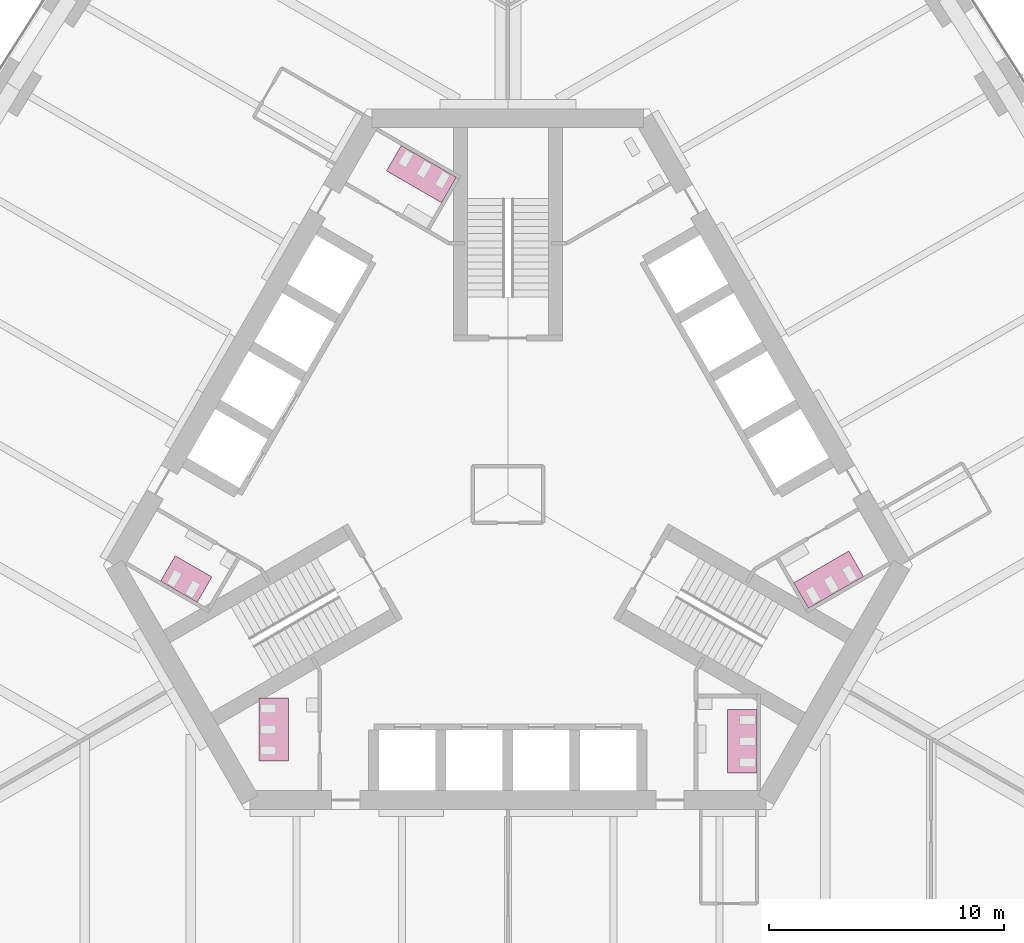
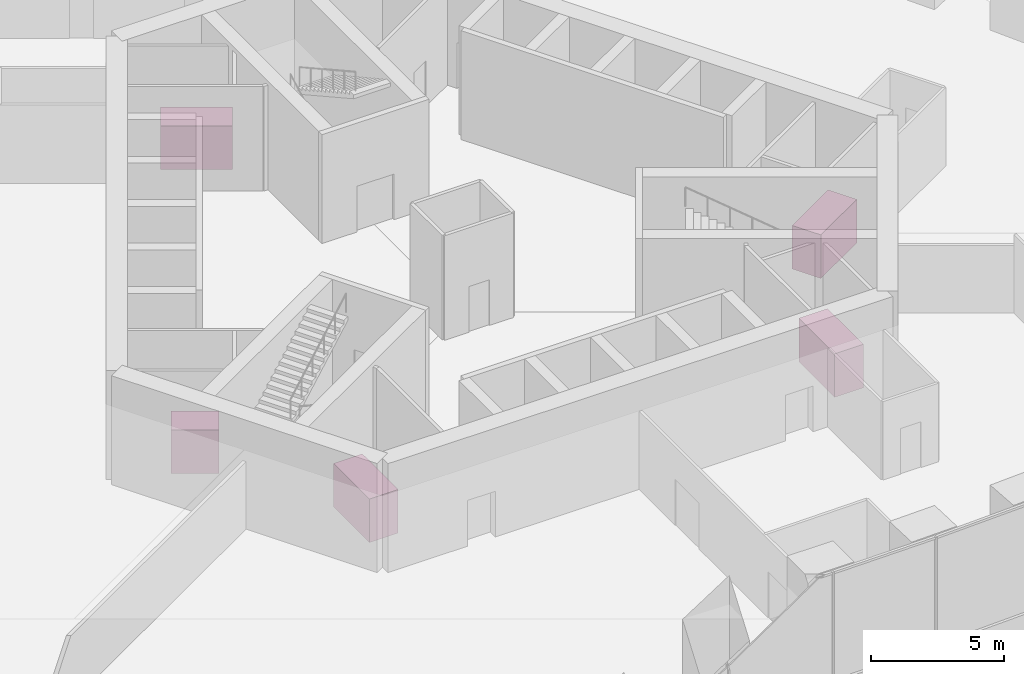
# One storey, part 21 of 21: 5 furniture elements.
"""IFC4 building model written with IfcOpenShell, lengths in metres."""

import ifcopenshell
import ifcopenshell.guid

model = None  # the IFC model being written
_history = None  # IfcOwnerHistory: only IFC2X3 demands one
_inside = {}  # id of a spatial element -> (the spatial element, [elements in it])
_under = {}  # id of a project, library or spatial element -> (it, [spatial elements below it])
_declared = {}  # id of a project -> (the project, [libraries it declares])
_typed = {}  # id of a type object -> (the type object, [elements of that type])
_made_of = {}  # id of a material, layer set ... -> (it, [elements and type objects made of it])


def new_model(schema):
    """Start an empty IFC model of exactly this schema.

    Asked for "IFC4X3", IfcOpenShell would pick the latest addendum, in which some entities
    have other attributes; the version numbers below select the first issue.
    IFC2X3 requires an IfcOwnerHistory on every rooted entity: one is made here for all.
    """
    global model, _history
    if schema == "IFC4X3":
        model = ifcopenshell.file(schema_version=(4, 3, 0, 0))
    else:
        model = ifcopenshell.file(schema=schema)
    _inside.clear()
    _under.clear()
    _declared.clear()
    _typed.clear()
    _made_of.clear()
    _history = None
    if model.schema == "IFC2X3":
        org = make("IfcOrganization", Name="unknown")
        user = make(
            "IfcPersonAndOrganization",
            ThePerson=make("IfcPerson", FamilyName="unknown"),
            TheOrganization=org,
        )
        app = make(
            "IfcApplication",
            ApplicationDeveloper=org,
            Version="unknown",
            ApplicationFullName="unknown",
            ApplicationIdentifier="unknown",
        )
        _history = make(
            "IfcOwnerHistory",
            OwningUser=user,
            OwningApplication=app,
            ChangeAction="ADDED",
            CreationDate=0,
        )
    return model


def make(cls, **values):
    """One entity of the class cls with the attributes given. An attribute that is None is left unset."""
    return model.create_entity(
        cls, **{name: value for name, value in values.items() if value is not None}
    )


def rooted(cls, **values):
    """An entity with a GlobalId (a new one), such as an element, a storey or a relation."""
    return make(cls, GlobalId=ifcopenshell.guid.new(), OwnerHistory=_history, **values)


def si_unit(unit_type, name, prefix=None):
    """IfcSIUnit, for example si_unit("LENGTHUNIT", "METRE", prefix="MILLI")."""
    return make("IfcSIUnit", UnitType=unit_type, Prefix=prefix, Name=name)


def assignment(units):
    """IfcUnitAssignment: the units of a project."""
    return None if units is None else make("IfcUnitAssignment", Units=units)


def point(xyz):
    """IfcCartesianPoint."""
    return None if xyz is None else make("IfcCartesianPoint", Coordinates=xyz)


def direction(xyz):
    """IfcDirection."""
    return None if xyz is None else make("IfcDirection", DirectionRatios=xyz)


def frame(location, z_axis=None, x_axis=None):
    """IfcAxis2Placement3D, a coordinate frame: its origin and axes. An axis left out is left unset."""
    return make(
        "IfcAxis2Placement3D",
        Location=point(location),
        Axis=direction(z_axis),
        RefDirection=direction(x_axis),
    )


def origin():
    """The frame at (0, 0, 0) with its axes left unset."""
    return frame((0.0, 0.0, 0.0))


def place(relative_to, where):
    """IfcLocalPlacement: puts the frame where relative to a parent placement (None: the world)."""
    return make(
        "IfcLocalPlacement", PlacementRelTo=relative_to, RelativePlacement=where
    )


def context(
    kind, dimensions, precision=None, world=None, true_north=None, identifier=None
):
    """IfcGeometricRepresentationContext, for example the 3D "Model" context."""
    return make(
        "IfcGeometricRepresentationContext",
        ContextIdentifier=identifier,
        ContextType=kind,
        CoordinateSpaceDimension=dimensions,
        Precision=precision,
        WorldCoordinateSystem=world,
        TrueNorth=true_north,
    )


def subcontext(parent, identifier, kind, view, scale=None):
    """IfcGeometricRepresentationSubContext, for example "Body" below "Model"."""
    return make(
        "IfcGeometricRepresentationSubContext",
        ContextIdentifier=identifier,
        ContextType=kind,
        ParentContext=parent,
        TargetScale=scale,
        TargetView=view,
    )


def project(units=None, contexts=None):
    """IfcProject with its units and contexts."""
    return rooted(
        "IfcProject",
        Name="project",
        RepresentationContexts=contexts,
        UnitsInContext=assignment(units),
    )


def spatial(cls, under=None, at=None, **own):
    """A site, building, storey or space (cls), placed at a placement, below another one or the project."""
    s = rooted(cls, ObjectPlacement=at, **own)
    if under is not None:
        _under.setdefault(under.id(), (under, []))[1].append(s)
    return s


def polyline(points):
    """IfcPolyline through the points."""
    return make("IfcPolyline", Points=[point(p) for p in points])


def outline(outer, holes=None, kind="AREA"):
    """IfcArbitraryClosedProfileDef: a profile drawn as a closed curve; with holes, ...WithVoids."""
    if holes is None:
        return make("IfcArbitraryClosedProfileDef", ProfileType=kind, OuterCurve=outer)
    return make(
        "IfcArbitraryProfileDefWithVoids",
        ProfileType=kind,
        OuterCurve=outer,
        InnerCurves=holes,
    )


def extrude(swept, where, along, depth):
    """IfcExtrudedAreaSolid: the profile swept, set in the frame where, extruded along a direction by depth."""
    return make(
        "IfcExtrudedAreaSolid",
        SweptArea=swept,
        Position=where,
        ExtrudedDirection=direction(along),
        Depth=depth,
    )


def shape(context_of_items, identifier, shape_type, items):
    """IfcShapeRepresentation: the items that make up one representation, for example the "Body"."""
    return make(
        "IfcShapeRepresentation",
        ContextOfItems=context_of_items,
        RepresentationIdentifier=identifier,
        RepresentationType=shape_type,
        Items=items,
    )


def material(Name=None, Category=None):
    """IfcMaterial."""
    return make("IfcMaterial", Name=Name, Category=Category)


def made_of(thing, what):
    """Note that an element or type object is made of a material, layer set ...; save() writes the relation."""
    if what is not None:
        _made_of.setdefault(what.id(), (what, []))[1].append(thing)
    return thing


def type_object(cls, material=None, **own):
    """A type object (cls), such as IfcWallType, which elements share."""
    return made_of(rooted(cls, **own), material)


def element(
    cls,
    number,
    at=None,
    inside=None,
    cuts=None,
    type_object=None,
    material=None,
    context=None,
    identifier="Body",
    shape_type=None,
    held_by="IfcProductDefinitionShape",
    body=None,
    shapes=None,
    **own,
):
    """One element of the class cls, such as IfcWall. Its Tag is "e" and its number.

    at: its placement. inside: the storey or other place that contains it. cuts: it is an
    opening in that element (IfcRelVoidsElement). A single representation is given by context,
    identifier, shape_type and body (its items); several are given by shapes. held_by: the class
    of the entity that holds the representations. save() writes the other relations.
    """
    e = rooted(cls, Tag="e%d" % number, ObjectPlacement=at, **own)
    if body is not None:
        shapes = [shape(context, identifier, shape_type, body)]
    if shapes is not None:
        e.Representation = make(held_by, Representations=shapes)
    if inside is not None:
        _inside.setdefault(inside.id(), (inside, []))[1].append(e)
    if cuts is not None:
        rooted(
            "IfcRelVoidsElement", RelatingBuildingElement=cuts, RelatedOpeningElement=e
        )
    if type_object is not None:
        _typed.setdefault(type_object.id(), (type_object, []))[1].append(e)
    return made_of(e, material)


def aggregate(whole, parts):
    """IfcRelAggregates: a whole, such as a stair, and the parts it consists of."""
    return rooted("IfcRelAggregates", RelatingObject=whole, RelatedObjects=parts)


def save(model, path):
    """Write the relations noted so far, then the file.

    IfcRelAggregates (storeys below a building ...), IfcRelContainedInSpatialStructure (elements
    in a storey), IfcRelDefinesByType, IfcRelAssociatesMaterial and IfcRelDeclares: one each for
    every whole, place, type object, material and project.
    """
    for whole, parts in _under.values():
        aggregate(whole, parts)
    for where, things in _inside.values():
        rooted(
            "IfcRelContainedInSpatialStructure",
            RelatedElements=things,
            RelatingStructure=where,
        )
    for kind, things in _typed.values():
        rooted("IfcRelDefinesByType", RelatedObjects=things, RelatingType=kind)
    for what, things in _made_of.values():
        rooted("IfcRelAssociatesMaterial", RelatedObjects=things, RelatingMaterial=what)
    for by, libraries in _declared.values():
        rooted("IfcRelDeclares", RelatingContext=by, RelatedDefinitions=libraries)
    model.write(path)


model = new_model("IFC4")

# Units and contexts
model_context = context("Model", 3, precision=1e-05, world=origin(), true_north=direction((0.0, 1.0)))
body_context = subcontext(model_context, "Body", "Model", "MODEL_VIEW")
ifc_project = project(units=[si_unit("LENGTHUNIT", "METRE"), si_unit("AREAUNIT", "SQUARE_METRE"), si_unit("VOLUMEUNIT", "CUBIC_METRE"), si_unit("PLANEANGLEUNIT", "RADIAN"), si_unit("MASSUNIT", "GRAM", prefix="KILO")], contexts=[model_context])

# Site, building, storey
site_placement = place(None, origin())
site = spatial("IfcSite", under=ifc_project, at=site_placement, CompositionType="ELEMENT")
building_placement = place(site_placement, origin())
building = spatial("IfcBuilding", under=site, at=building_placement, Name="Trefoil Bronze Tower", CompositionType="ELEMENT")
storey_placement = place(building_placement, frame((0.0, 0.0, 6.5)))
storey = spatial("IfcBuildingStorey", under=building, at=storey_placement, Name="L01", CompositionType="ELEMENT", Elevation=6.5)

# Furniture
ifc_material_1 = material(Name="Compact laminate cubicles", Category="plastic")
furniture_type_1 = type_object("IfcFurnitureType", Name="WC cubicle range 2 cubicles", AssemblyPlace="FACTORY", PredefinedType="USERDEFINED", material=ifc_material_1)
furniture_1_placement = place(storey_placement, origin())
element("IfcFurniture", 1, at=furniture_1_placement, inside=storey, type_object=furniture_type_1, Name="WC cubicle range WC (men) L01", ObjectType="WC cubicle range", PredefinedType="USERDEFINED", context=body_context, shape_type="SweptSolid", body=[
    extrude(outline(polyline([(-12.591552734375, -3.50927734375), (-13.216552734375, -4.591796875), (-14.775390625, -3.69189453125), (-14.150390625, -2.609375), (-12.591552734375, -3.50927734375)])), origin(), (0.0, 0.0, 1.0), 2.0),
])
ifc_material_2 = material(Name="Compact laminate cubicles", Category="plastic")
furniture_type_2 = type_object("IfcFurnitureType", Name="WC cubicle range 3 cubicles", AssemblyPlace="FACTORY", PredefinedType="USERDEFINED", material=ifc_material_2)
furniture_2_placement = place(storey_placement, origin())
element("IfcFurniture", 2, at=furniture_2_placement, inside=storey, type_object=furniture_type_2, Name="WC cubicle range WC (men) L01", ObjectType="WC cubicle range", PredefinedType="USERDEFINED", context=body_context, shape_type="SweptSolid", body=[
    extrude(outline(polyline([(9.3349609375, -9.14990234375), (10.5849609375, -9.14990234375), (10.5849609375, -11.85009765625), (9.3349609375, -11.85009765625), (9.3349609375, -9.14990234375)])), origin(), (0.0, 0.0, 1.0), 2.0),
])
furniture_3_placement = place(storey_placement, origin())
element("IfcFurniture", 3, at=furniture_3_placement, inside=storey, type_object=furniture_type_2, Name="WC cubicle range WC (women) L01", ObjectType="WC cubicle range", PredefinedType="USERDEFINED", context=body_context, shape_type="SweptSolid", body=[
    extrude(outline(polyline([(12.15869140625, -3.75927734375), (12.78369140625, -4.841796875), (15.121826171875, -3.491943359375), (14.496826171875, -2.409423828125), (12.15869140625, -3.75927734375)])), origin(), (0.0, 0.0, 1.0), 2.0),
])
furniture_4_placement = place(storey_placement, origin())
element("IfcFurniture", 4, at=furniture_4_placement, inside=storey, type_object=furniture_type_2, Name="WC cubicle range WC (women) L01", ObjectType="WC cubicle range", PredefinedType="USERDEFINED", context=body_context, shape_type="SweptSolid", body=[
    extrude(outline(polyline([(-2.82373046875, 12.409423828125), (-2.19873046875, 13.491943359375), (-4.536865234375, 14.841796875), (-5.161865234375, 13.75927734375), (-2.82373046875, 12.409423828125)])), origin(), (0.0, 0.0, 1.0), 2.0),
])
furniture_5_placement = place(storey_placement, origin())
element("IfcFurniture", 5, at=furniture_5_placement, inside=storey, type_object=furniture_type_2, Name="WC cubicle range WC (women) L01", ObjectType="WC cubicle range", PredefinedType="USERDEFINED", context=body_context, shape_type="SweptSolid", body=[
    extrude(outline(polyline([(-9.3349609375, -8.64990234375), (-10.5849609375, -8.64990234375), (-10.5849609375, -11.35009765625), (-9.3349609375, -11.35009765625), (-9.3349609375, -8.64990234375)])), origin(), (0.0, 0.0, 1.0), 2.0),
])

save(model, "model.ifc")
